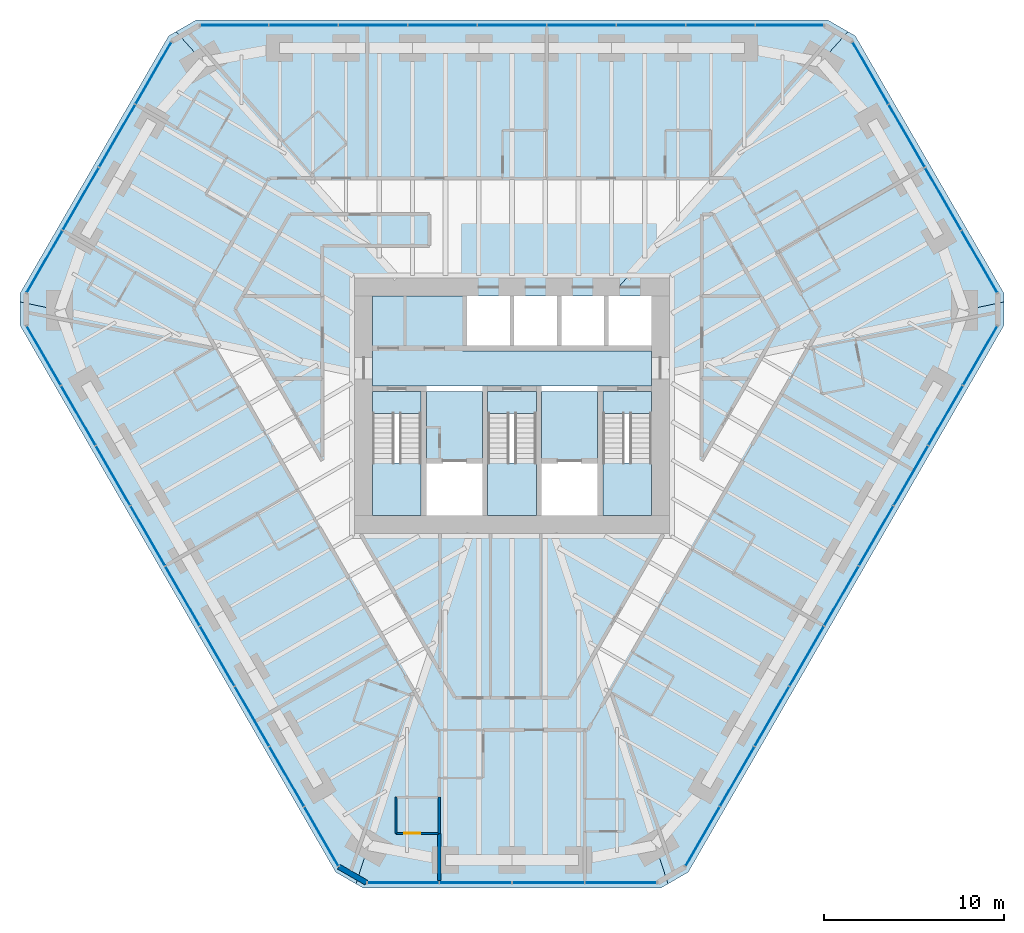
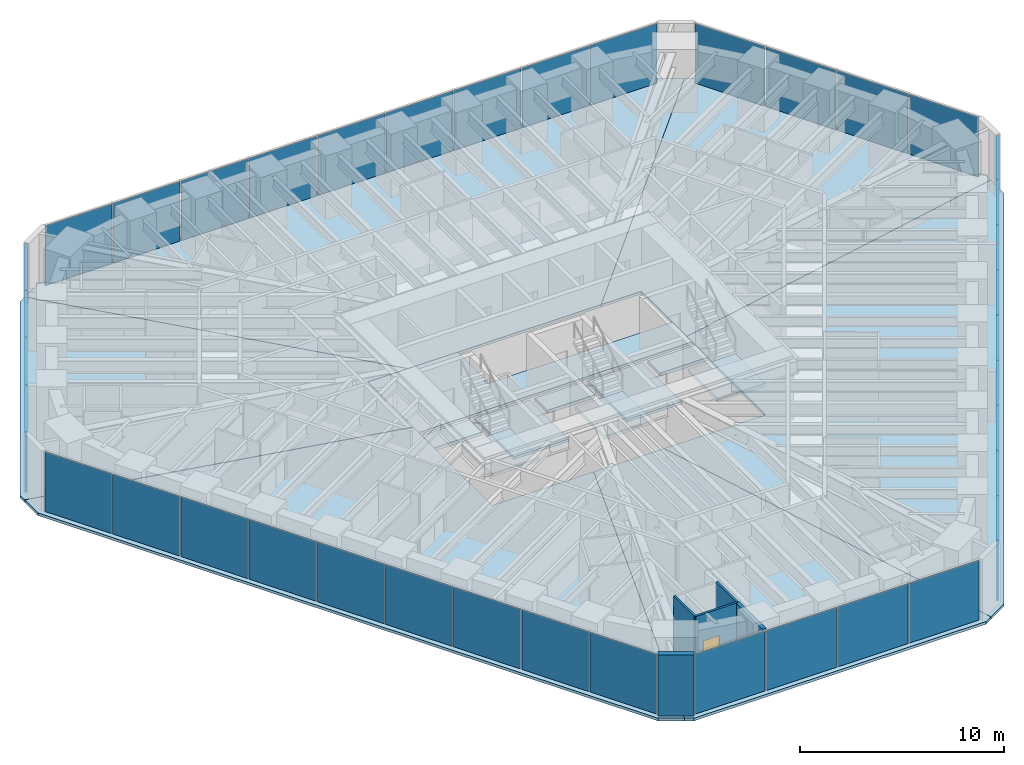
# One storey, part 10 of 16: 39 plates, 15 slabs, 5 walls, 1 door, 1 opening, 9 elements without a shape of their own.
"""IFC4 building model written with IfcOpenShell, lengths in metres."""

from ifc_helpers import new_model, si_unit, direction, frame, frame_2d, origin, origin_2d, place, context, subcontext, project, spatial, polyline, rectangle, outline, extrude, material, layer, layer_set, type_object, element, fill, aggregate, save


model = new_model("IFC4")

# Units and contexts
model_context = context("Model", 3, precision=1e-05, world=origin(), true_north=direction((0.0, 1.0)))
body_context = subcontext(model_context, "Body", "Model", "MODEL_VIEW")
ifc_project = project(units=[si_unit("LENGTHUNIT", "METRE"), si_unit("AREAUNIT", "SQUARE_METRE"), si_unit("VOLUMEUNIT", "CUBIC_METRE"), si_unit("PLANEANGLEUNIT", "RADIAN"), si_unit("MASSUNIT", "GRAM", prefix="KILO")], contexts=[model_context])

# Site, building, storey
site_placement = place(None, origin())
site = spatial("IfcSite", under=ifc_project, at=site_placement, CompositionType="ELEMENT")
building_placement = place(site_placement, origin())
building = spatial("IfcBuilding", under=site, at=building_placement, Name="Sandreach Pilgrim Tower", CompositionType="ELEMENT")
storey_placement = place(building_placement, frame((0.0, 0.0, 202.199951171875)))
storey = spatial("IfcBuildingStorey", under=building, at=storey_placement, Name="L50", CompositionType="ELEMENT", Elevation=202.199951171875)

# Curtain wall, plates
ifc_material_1 = material(Name="Aluminium framed curtain wall", Category="aluminium")
curtain_wall_type = type_object("IfcCurtainWallType", Name="Upper hotel tower curtain wall", PredefinedType="NOTDEFINED", material=ifc_material_1)
curtain_wall_1_placement = place(storey_placement, origin())
curtain_wall_1 = element("IfcCurtainWall", 1, at=curtain_wall_1_placement, inside=storey, type_object=curtain_wall_type, Name="CW-3 L50 N", PredefinedType="NOTDEFINED")
ifc_material_2 = material(Name="Insulating glass unit 12.76 laminated + 20 argon + 12.76 laminated", Category="glass")
ifc_layer_1 = layer(ifc_material_2, 0.0458984375)
ifc_layer_set_1 = layer_set([ifc_layer_1], Name="CW-3 panel")
plate_type = type_object("IfcPlateType", Name="CW-3 panel", PredefinedType="CURTAIN_PANEL", material=ifc_layer_set_1)
plate_1_placement = place(storey_placement, frame((-15.44140625, 21.16015625, 0.0), z_axis=(0.0, 0.0, 1.0), x_axis=(1.0, 0.0, 0.0)))
plate_1 = element("IfcPlate", 2, at=plate_1_placement, type_object=plate_type, Name="CW-3 panel 1", PredefinedType="CURTAIN_PANEL", context=body_context, shape_type="SweptSolid", body=[
    extrude(rectangle(XDim=3.766845703125, YDim=0.0458984375, at=origin_2d()), origin(), (0.0, 0.0, 1.0), 3.570068359375),
])
plate_2_placement = place(storey_placement, frame((-11.59326171875, 21.16015625, 0.0), z_axis=(0.0, 0.0, 1.0), x_axis=(1.0, 0.0, 0.0)))
plate_2 = element("IfcPlate", 3, at=plate_2_placement, type_object=plate_type, Name="CW-3 panel 2", PredefinedType="CURTAIN_PANEL", context=body_context, shape_type="SweptSolid", body=[
    extrude(rectangle(XDim=3.79931640625, YDim=0.0458984375, at=origin_2d()), origin(), (0.0, 0.0, 1.0), 3.570068359375),
])
plate_3_placement = place(storey_placement, frame((-7.728759765625, 21.16015625, 0.0), z_axis=(0.0, 0.0, 1.0), x_axis=(1.0, 0.0, 0.0)))
plate_3 = element("IfcPlate", 4, at=plate_3_placement, type_object=plate_type, Name="CW-3 panel 3", PredefinedType="CURTAIN_PANEL", context=body_context, shape_type="SweptSolid", body=[
    extrude(rectangle(XDim=3.79931640625, YDim=0.0458984375, at=origin_2d()), origin(), (0.0, 0.0, 1.0), 3.570068359375),
])
plate_4_placement = place(storey_placement, frame((-3.864501953125, 21.16015625, 0.0), z_axis=(0.0, 0.0, 1.0), x_axis=(1.0, 0.0, 0.0)))
plate_4 = element("IfcPlate", 5, at=plate_4_placement, type_object=plate_type, Name="CW-3 panel 4", PredefinedType="CURTAIN_PANEL", context=body_context, shape_type="SweptSolid", body=[
    extrude(rectangle(XDim=3.79931640625, YDim=0.0458984375, at=origin_2d()), origin(), (0.0, 0.0, 1.0), 3.570068359375),
])
plate_5_placement = place(storey_placement, frame((0.0, 21.16015625, 0.0), z_axis=(0.0, 0.0, 1.0), x_axis=(1.0, 0.0, 0.0)))
plate_5 = element("IfcPlate", 6, at=plate_5_placement, type_object=plate_type, Name="CW-3 panel 5", PredefinedType="CURTAIN_PANEL", context=body_context, shape_type="SweptSolid", body=[
    extrude(rectangle(XDim=3.79931640625, YDim=0.0458984375, at=origin_2d()), origin(), (0.0, 0.0, 1.0), 3.570068359375),
])
plate_6_placement = place(storey_placement, frame((3.864501953125, 21.16015625, 0.0), z_axis=(0.0, 0.0, 1.0), x_axis=(1.0, 0.0, 0.0)))
plate_6 = element("IfcPlate", 7, at=plate_6_placement, type_object=plate_type, Name="CW-3 panel 6", PredefinedType="CURTAIN_PANEL", context=body_context, shape_type="SweptSolid", body=[
    extrude(rectangle(XDim=3.79931640625, YDim=0.0458984375, at=origin_2d()), origin(), (0.0, 0.0, 1.0), 3.570068359375),
])
plate_7_placement = place(storey_placement, frame((7.728759765625, 21.16015625, 0.0), z_axis=(0.0, 0.0, 1.0), x_axis=(1.0, 0.0, 0.0)))
plate_7 = element("IfcPlate", 8, at=plate_7_placement, type_object=plate_type, Name="CW-3 panel 7", PredefinedType="CURTAIN_PANEL", context=body_context, shape_type="SweptSolid", body=[
    extrude(rectangle(XDim=3.79931640625, YDim=0.0458984375, at=origin_2d()), origin(), (0.0, 0.0, 1.0), 3.570068359375),
])
plate_8_placement = place(storey_placement, frame((11.59326171875, 21.16015625, 0.0), z_axis=(0.0, 0.0, 1.0), x_axis=(1.0, 0.0, 0.0)))
plate_8 = element("IfcPlate", 9, at=plate_8_placement, type_object=plate_type, Name="CW-3 panel 8", PredefinedType="CURTAIN_PANEL", context=body_context, shape_type="SweptSolid", body=[
    extrude(rectangle(XDim=3.79931640625, YDim=0.0458984375, at=origin_2d()), origin(), (0.0, 0.0, 1.0), 3.570068359375),
])
plate_9_placement = place(storey_placement, frame((15.44140625, 21.16015625, 0.0), z_axis=(0.0, 0.0, 1.0), x_axis=(1.0, 0.0, 0.0)))
plate_9 = element("IfcPlate", 10, at=plate_9_placement, type_object=plate_type, Name="CW-3 panel 9", PredefinedType="CURTAIN_PANEL", context=body_context, shape_type="SweptSolid", body=[
    extrude(rectangle(XDim=3.766845703125, YDim=0.0458984375, at=origin_2d()), origin(), (0.0, 0.0, 1.0), 3.570068359375),
])
aggregate(curtain_wall_1, [plate_1, plate_2, plate_3, plate_4, plate_5, plate_6, plate_7, plate_8, plate_9])

curtain_wall_2_placement = place(storey_placement, origin())
curtain_wall_2 = element("IfcCurtainWall", 11, at=curtain_wall_2_placement, inside=storey, type_object=curtain_wall_type, Name="CW-3 L50 NE", PredefinedType="NOTDEFINED")
plate_10_placement = place(storey_placement, frame((19.943115234375, 18.5078125, 0.0), z_axis=(0.0, 0.0, 1.0), x_axis=(0.5, -0.866025403784, 0.0)))
plate_10 = element("IfcPlate", 12, at=plate_10_placement, type_object=plate_type, Name="CW-3 panel 1", PredefinedType="CURTAIN_PANEL", context=body_context, shape_type="SweptSolid", body=[
    extrude(rectangle(XDim=3.951171875, YDim=0.0458984375, at=origin_2d()), origin(), (0.0, 0.0, 1.0), 3.570068359375),
])
plate_11_placement = place(storey_placement, frame((21.959228515625, 15.015625, 0.0), z_axis=(0.0, 0.0, 1.0), x_axis=(0.5, -0.866025403784, 0.0)))
plate_11 = element("IfcPlate", 13, at=plate_11_placement, type_object=plate_type, Name="CW-3 panel 2", PredefinedType="CURTAIN_PANEL", context=body_context, shape_type="SweptSolid", body=[
    extrude(rectangle(XDim=3.983642578125, YDim=0.0458984375, at=origin_2d()), origin(), (0.0, 0.0, 1.0), 3.570068359375),
])
plate_12_placement = place(storey_placement, frame((23.983642578125, 11.509521484375, 0.0), z_axis=(0.0, 0.0, 1.0), x_axis=(0.5, -0.866025403784, 0.0)))
plate_12 = element("IfcPlate", 14, at=plate_12_placement, type_object=plate_type, Name="CW-3 panel 3", PredefinedType="CURTAIN_PANEL", context=body_context, shape_type="SweptSolid", body=[
    extrude(rectangle(XDim=3.983642578125, YDim=0.0458984375, at=origin_2d()), origin(), (0.0, 0.0, 1.0), 3.570068359375),
])
plate_13_placement = place(storey_placement, frame((25.999755859375, 8.017333984375, 0.0), z_axis=(0.0, 0.0, 1.0), x_axis=(0.5, -0.866025403784, 0.0)))
plate_13 = element("IfcPlate", 15, at=plate_13_placement, type_object=plate_type, Name="CW-3 panel 4", PredefinedType="CURTAIN_PANEL", context=body_context, shape_type="SweptSolid", body=[
    extrude(rectangle(XDim=3.951171875, YDim=0.0458984375, at=origin_2d()), origin(), (0.0, 0.0, 1.0), 3.570068359375),
])
aggregate(curtain_wall_2, [plate_10, plate_11, plate_12, plate_13])

curtain_wall_3_placement = place(storey_placement, origin())
curtain_wall_3 = element("IfcCurtainWall", 16, at=curtain_wall_3_placement, inside=storey, type_object=curtain_wall_type, Name="CW-3 L50 SE", PredefinedType="NOTDEFINED")
plate_14_placement = place(storey_placement, frame((26.0458984375, 2.792724609375, 0.0), z_axis=(0.0, 0.0, 1.0), x_axis=(-0.5, -0.866025403784, 0.0)))
plate_14 = element("IfcPlate", 17, at=plate_14_placement, type_object=plate_type, Name="CW-3 panel 1", PredefinedType="CURTAIN_PANEL", context=body_context, shape_type="SweptSolid", body=[
    extrude(rectangle(XDim=3.766845703125, YDim=0.0458984375, at=origin_2d()), origin(), (0.0, 0.0, 1.0), 3.570068359375),
])
plate_15_placement = place(storey_placement, frame((24.121826171875, -0.5400390625, 0.0), z_axis=(0.0, 0.0, 1.0), x_axis=(-0.5, -0.866025403784, 0.0)))
plate_15 = element("IfcPlate", 18, at=plate_15_placement, type_object=plate_type, Name="CW-3 panel 2", PredefinedType="CURTAIN_PANEL", context=body_context, shape_type="SweptSolid", body=[
    extrude(rectangle(XDim=3.79931640625, YDim=0.0458984375, at=origin_2d()), origin(), (0.0, 0.0, 1.0), 3.570068359375),
])
plate_16_placement = place(storey_placement, frame((22.189697265625, -3.88671875, 0.0), z_axis=(0.0, 0.0, 1.0), x_axis=(-0.5, -0.866025403784, 0.0)))
plate_16 = element("IfcPlate", 19, at=plate_16_placement, type_object=plate_type, Name="CW-3 panel 3", PredefinedType="CURTAIN_PANEL", context=body_context, shape_type="SweptSolid", body=[
    extrude(rectangle(XDim=3.79931640625, YDim=0.0458984375, at=origin_2d()), origin(), (0.0, 0.0, 1.0), 3.570068359375),
])
plate_17_placement = place(storey_placement, frame((20.25732421875, -7.2333984375, 0.0), z_axis=(0.0, 0.0, 1.0), x_axis=(-0.5, -0.866025403784, 0.0)))
plate_17 = element("IfcPlate", 20, at=plate_17_placement, type_object=plate_type, Name="CW-3 panel 4", PredefinedType="CURTAIN_PANEL", context=body_context, shape_type="SweptSolid", body=[
    extrude(rectangle(XDim=3.79931640625, YDim=0.0458984375, at=origin_2d()), origin(), (0.0, 0.0, 1.0), 3.570068359375),
])
plate_18_placement = place(storey_placement, frame((18.3251953125, -10.580078125, 0.0), z_axis=(0.0, 0.0, 1.0), x_axis=(-0.5, -0.866025403784, 0.0)))
plate_18 = element("IfcPlate", 21, at=plate_18_placement, type_object=plate_type, Name="CW-3 panel 5", PredefinedType="CURTAIN_PANEL", context=body_context, shape_type="SweptSolid", body=[
    extrude(rectangle(XDim=3.79931640625, YDim=0.0458984375, at=origin_2d()), origin(), (0.0, 0.0, 1.0), 3.570068359375),
])
plate_19_placement = place(storey_placement, frame((16.39306640625, -13.9267578125, 0.0), z_axis=(0.0, 0.0, 1.0), x_axis=(-0.5, -0.866025403784, 0.0)))
plate_19 = element("IfcPlate", 22, at=plate_19_placement, type_object=plate_type, Name="CW-3 panel 6", PredefinedType="CURTAIN_PANEL", context=body_context, shape_type="SweptSolid", body=[
    extrude(rectangle(XDim=3.79931640625, YDim=0.0458984375, at=origin_2d()), origin(), (0.0, 0.0, 1.0), 3.570068359375),
])
plate_20_placement = place(storey_placement, frame((14.460693359375, -17.2734375, 0.0), z_axis=(0.0, 0.0, 1.0), x_axis=(-0.5, -0.866025403784, 0.0)))
plate_20 = element("IfcPlate", 23, at=plate_20_placement, type_object=plate_type, Name="CW-3 panel 7", PredefinedType="CURTAIN_PANEL", context=body_context, shape_type="SweptSolid", body=[
    extrude(rectangle(XDim=3.79931640625, YDim=0.0458984375, at=origin_2d()), origin(), (0.0, 0.0, 1.0), 3.570068359375),
])
plate_21_placement = place(storey_placement, frame((12.528564453125, -20.6201171875, 0.0), z_axis=(0.0, 0.0, 1.0), x_axis=(-0.5, -0.866025403784, 0.0)))
plate_21 = element("IfcPlate", 24, at=plate_21_placement, type_object=plate_type, Name="CW-3 panel 8", PredefinedType="CURTAIN_PANEL", context=body_context, shape_type="SweptSolid", body=[
    extrude(rectangle(XDim=3.79931640625, YDim=0.0458984375, at=origin_2d()), origin(), (0.0, 0.0, 1.0), 3.570068359375),
])
plate_22_placement = place(storey_placement, frame((10.6044921875, -23.95263671875, 0.0), z_axis=(0.0, 0.0, 1.0), x_axis=(-0.5, -0.866025403784, 0.0)))
plate_22 = element("IfcPlate", 25, at=plate_22_placement, type_object=plate_type, Name="CW-3 panel 9", PredefinedType="CURTAIN_PANEL", context=body_context, shape_type="SweptSolid", body=[
    extrude(rectangle(XDim=3.766845703125, YDim=0.0458984375, at=origin_2d()), origin(), (0.0, 0.0, 1.0), 3.570068359375),
])
aggregate(curtain_wall_3, [plate_14, plate_15, plate_16, plate_17, plate_18, plate_19, plate_20, plate_21, plate_22])

curtain_wall_4_placement = place(storey_placement, origin())
curtain_wall_4 = element("IfcCurtainWall", 26, at=curtain_wall_4_placement, inside=storey, type_object=curtain_wall_type, Name="CW-3 L50 S", PredefinedType="NOTDEFINED")
plate_23_placement = place(storey_placement, frame((6.056884765625, -26.525146484375, 0.0), z_axis=(0.0, 0.0, 1.0), x_axis=(-1.0, 0.0, 0.0)))
plate_23 = element("IfcPlate", 27, at=plate_23_placement, type_object=plate_type, Name="CW-3 panel 1", PredefinedType="CURTAIN_PANEL", context=body_context, shape_type="SweptSolid", body=[
    extrude(rectangle(XDim=3.951171875, YDim=0.0458984375, at=origin_2d()), origin(), (0.0, 0.0, 1.0), 3.570068359375),
])
plate_24_placement = place(storey_placement, frame((2.0244140625, -26.525146484375, 0.0), z_axis=(0.0, 0.0, 1.0), x_axis=(-1.0, 0.0, 0.0)))
plate_24 = element("IfcPlate", 28, at=plate_24_placement, type_object=plate_type, Name="CW-3 panel 2", PredefinedType="CURTAIN_PANEL", context=body_context, shape_type="SweptSolid", body=[
    extrude(rectangle(XDim=3.983642578125, YDim=0.0458984375, at=origin_2d()), origin(), (0.0, 0.0, 1.0), 3.570068359375),
])
plate_25_placement = place(storey_placement, frame((-2.0244140625, -26.525146484375, 0.0), z_axis=(0.0, 0.0, 1.0), x_axis=(-1.0, 0.0, 0.0)))
plate_25 = element("IfcPlate", 29, at=plate_25_placement, type_object=plate_type, Name="CW-3 panel 3", PredefinedType="CURTAIN_PANEL", context=body_context, shape_type="SweptSolid", body=[
    extrude(rectangle(XDim=3.983642578125, YDim=0.0458984375, at=origin_2d()), origin(), (0.0, 0.0, 1.0), 3.570068359375),
])
plate_26_placement = place(storey_placement, frame((-6.056884765625, -26.525146484375, 0.0), z_axis=(0.0, 0.0, 1.0), x_axis=(-1.0, 0.0, 0.0)))
plate_26 = element("IfcPlate", 30, at=plate_26_placement, type_object=plate_type, Name="CW-3 panel 4", PredefinedType="CURTAIN_PANEL", context=body_context, shape_type="SweptSolid", body=[
    extrude(rectangle(XDim=3.951171875, YDim=0.0458984375, at=origin_2d()), origin(), (0.0, 0.0, 1.0), 3.570068359375),
])
aggregate(curtain_wall_4, [plate_23, plate_24, plate_25, plate_26])

curtain_wall_5_placement = place(storey_placement, origin())
curtain_wall_5 = element("IfcCurtainWall", 31, at=curtain_wall_5_placement, inside=storey, type_object=curtain_wall_type, Name="CW-3 L50 SW", PredefinedType="NOTDEFINED")
plate_27_placement = place(storey_placement, frame((-10.6044921875, -23.95263671875, 0.0), z_axis=(0.0, 0.0, 1.0), x_axis=(-0.5, 0.866025403784, 0.0)))
plate_27 = element("IfcPlate", 32, at=plate_27_placement, type_object=plate_type, Name="CW-3 panel 1", PredefinedType="CURTAIN_PANEL", context=body_context, shape_type="SweptSolid", body=[
    extrude(rectangle(XDim=3.766845703125, YDim=0.0458984375, at=origin_2d()), origin(), (0.0, 0.0, 1.0), 3.570068359375),
])
plate_28_placement = place(storey_placement, frame((-12.528564453125, -20.6201171875, 0.0), z_axis=(0.0, 0.0, 1.0), x_axis=(-0.5, 0.866025403784, 0.0)))
plate_28 = element("IfcPlate", 33, at=plate_28_placement, type_object=plate_type, Name="CW-3 panel 2", PredefinedType="CURTAIN_PANEL", context=body_context, shape_type="SweptSolid", body=[
    extrude(rectangle(XDim=3.79931640625, YDim=0.0458984375, at=origin_2d()), origin(), (0.0, 0.0, 1.0), 3.570068359375),
])
plate_29_placement = place(storey_placement, frame((-14.460693359375, -17.2734375, 0.0), z_axis=(0.0, 0.0, 1.0), x_axis=(-0.5, 0.866025403784, 0.0)))
plate_29 = element("IfcPlate", 34, at=plate_29_placement, type_object=plate_type, Name="CW-3 panel 3", PredefinedType="CURTAIN_PANEL", context=body_context, shape_type="SweptSolid", body=[
    extrude(rectangle(XDim=3.79931640625, YDim=0.0458984375, at=origin_2d()), origin(), (0.0, 0.0, 1.0), 3.570068359375),
])
plate_30_placement = place(storey_placement, frame((-16.39306640625, -13.9267578125, 0.0), z_axis=(0.0, 0.0, 1.0), x_axis=(-0.5, 0.866025403784, 0.0)))
plate_30 = element("IfcPlate", 35, at=plate_30_placement, type_object=plate_type, Name="CW-3 panel 4", PredefinedType="CURTAIN_PANEL", context=body_context, shape_type="SweptSolid", body=[
    extrude(rectangle(XDim=3.79931640625, YDim=0.0458984375, at=origin_2d()), origin(), (0.0, 0.0, 1.0), 3.570068359375),
])
plate_31_placement = place(storey_placement, frame((-18.3251953125, -10.580078125, 0.0), z_axis=(0.0, 0.0, 1.0), x_axis=(-0.5, 0.866025403784, 0.0)))
plate_31 = element("IfcPlate", 36, at=plate_31_placement, type_object=plate_type, Name="CW-3 panel 5", PredefinedType="CURTAIN_PANEL", context=body_context, shape_type="SweptSolid", body=[
    extrude(rectangle(XDim=3.79931640625, YDim=0.0458984375, at=origin_2d()), origin(), (0.0, 0.0, 1.0), 3.570068359375),
])
plate_32_placement = place(storey_placement, frame((-20.25732421875, -7.2333984375, 0.0), z_axis=(0.0, 0.0, 1.0), x_axis=(-0.5, 0.866025403784, 0.0)))
plate_32 = element("IfcPlate", 37, at=plate_32_placement, type_object=plate_type, Name="CW-3 panel 6", PredefinedType="CURTAIN_PANEL", context=body_context, shape_type="SweptSolid", body=[
    extrude(rectangle(XDim=3.79931640625, YDim=0.0458984375, at=origin_2d()), origin(), (0.0, 0.0, 1.0), 3.570068359375),
])
plate_33_placement = place(storey_placement, frame((-22.189697265625, -3.88671875, 0.0), z_axis=(0.0, 0.0, 1.0), x_axis=(-0.5, 0.866025403784, 0.0)))
plate_33 = element("IfcPlate", 38, at=plate_33_placement, type_object=plate_type, Name="CW-3 panel 7", PredefinedType="CURTAIN_PANEL", context=body_context, shape_type="SweptSolid", body=[
    extrude(rectangle(XDim=3.79931640625, YDim=0.0458984375, at=origin_2d()), origin(), (0.0, 0.0, 1.0), 3.570068359375),
])
plate_34_placement = place(storey_placement, frame((-24.121826171875, -0.5400390625, 0.0), z_axis=(0.0, 0.0, 1.0), x_axis=(-0.5, 0.866025403784, 0.0)))
plate_34 = element("IfcPlate", 39, at=plate_34_placement, type_object=plate_type, Name="CW-3 panel 8", PredefinedType="CURTAIN_PANEL", context=body_context, shape_type="SweptSolid", body=[
    extrude(rectangle(XDim=3.79931640625, YDim=0.0458984375, at=origin_2d()), origin(), (0.0, 0.0, 1.0), 3.570068359375),
])
plate_35_placement = place(storey_placement, frame((-26.0458984375, 2.792724609375, 0.0), z_axis=(0.0, 0.0, 1.0), x_axis=(-0.5, 0.866025403784, 0.0)))
plate_35 = element("IfcPlate", 40, at=plate_35_placement, type_object=plate_type, Name="CW-3 panel 9", PredefinedType="CURTAIN_PANEL", context=body_context, shape_type="SweptSolid", body=[
    extrude(rectangle(XDim=3.766845703125, YDim=0.0458984375, at=origin_2d()), origin(), (0.0, 0.0, 1.0), 3.570068359375),
])
aggregate(curtain_wall_5, [plate_27, plate_28, plate_29, plate_30, plate_31, plate_32, plate_33, plate_34, plate_35])

curtain_wall_6_placement = place(storey_placement, origin())
curtain_wall_6 = element("IfcCurtainWall", 41, at=curtain_wall_6_placement, inside=storey, type_object=curtain_wall_type, Name="CW-3 L50 NW", PredefinedType="NOTDEFINED")
plate_36_placement = place(storey_placement, frame((-25.999755859375, 8.017333984375, 0.0), z_axis=(0.0, 0.0, 1.0), x_axis=(0.5, 0.866025403784, 0.0)))
plate_36 = element("IfcPlate", 42, at=plate_36_placement, type_object=plate_type, Name="CW-3 panel 1", PredefinedType="CURTAIN_PANEL", context=body_context, shape_type="SweptSolid", body=[
    extrude(rectangle(XDim=3.951171875, YDim=0.0458984375, at=origin_2d()), origin(), (0.0, 0.0, 1.0), 3.570068359375),
])
plate_37_placement = place(storey_placement, frame((-23.983642578125, 11.509521484375, 0.0), z_axis=(0.0, 0.0, 1.0), x_axis=(0.5, 0.866025403784, 0.0)))
plate_37 = element("IfcPlate", 43, at=plate_37_placement, type_object=plate_type, Name="CW-3 panel 2", PredefinedType="CURTAIN_PANEL", context=body_context, shape_type="SweptSolid", body=[
    extrude(rectangle(XDim=3.983642578125, YDim=0.0458984375, at=origin_2d()), origin(), (0.0, 0.0, 1.0), 3.570068359375),
])
plate_38_placement = place(storey_placement, frame((-21.959228515625, 15.015625, 0.0), z_axis=(0.0, 0.0, 1.0), x_axis=(0.5, 0.866025403784, 0.0)))
plate_38 = element("IfcPlate", 44, at=plate_38_placement, type_object=plate_type, Name="CW-3 panel 3", PredefinedType="CURTAIN_PANEL", context=body_context, shape_type="SweptSolid", body=[
    extrude(rectangle(XDim=3.983642578125, YDim=0.0458984375, at=origin_2d()), origin(), (0.0, 0.0, 1.0), 3.570068359375),
])
plate_39_placement = place(storey_placement, frame((-19.943115234375, 18.5078125, 0.0), z_axis=(0.0, 0.0, 1.0), x_axis=(0.5, 0.866025403784, 0.0)))
plate_39 = element("IfcPlate", 45, at=plate_39_placement, type_object=plate_type, Name="CW-3 panel 4", PredefinedType="CURTAIN_PANEL", context=body_context, shape_type="SweptSolid", body=[
    extrude(rectangle(XDim=3.951171875, YDim=0.0458984375, at=origin_2d()), origin(), (0.0, 0.0, 1.0), 3.570068359375),
])
aggregate(curtain_wall_6, [plate_36, plate_37, plate_38, plate_39])

# Slabs
ifc_material_3 = material(Name="Concrete 8000 psi", Category="concrete")
ifc_layer_2 = layer(ifc_material_3, 0.159912109375)
ifc_layer_set_2 = layer_set([ifc_layer_2], Name="Composite floor slab 160")
slab_type_1 = type_object("IfcSlabType", Name="Composite floor slab 160", PredefinedType="FLOOR", material=ifc_layer_set_2)
slab_1_placement = place(storey_placement, frame((0.0, 0.0, -0.159912109375)))
element("IfcSlab", 46, at=slab_1_placement, inside=storey, type_object=slab_type_1, Name="Floor slab L50 N sector", PredefinedType="FLOOR", context=body_context, shape_type="SweptSolid", body=[
    extrude(outline(polyline([(-17.56298828125, 21.460205078125), (17.56298828125, 21.460205078125), (18.68701171875, 20.81103515625), (5.477294921875, 6.10009765625), (-5.477294921875, 6.10009765625), (-18.68701171875, 20.81103515625), (-17.56298828125, 21.460205078125)])), origin(), (0.0, 0.0, 1.0), 0.159912109375),
])
slab_2_placement = place(storey_placement, frame((0.0, 0.0, -0.159912109375)))
element("IfcSlab", 47, at=slab_2_placement, inside=storey, type_object=slab_type_1, Name="Floor slab L50 NE sector", PredefinedType="FLOOR", context=body_context, shape_type="SweptSolid", body=[
    extrude(outline(polyline([(19.095947265625, 20.5751953125), (27.366455078125, 6.25), (27.366455078125, 5.778076171875), (7.75, 1.63623046875), (7.75, 6.10009765625), (5.477294921875, 6.10009765625), (18.68701171875, 20.81103515625), (19.095947265625, 20.5751953125)])), origin(), (0.0, 0.0, 1.0), 0.159912109375),
])
slab_3_placement = place(storey_placement, frame((0.0, 0.0, -0.159912109375)))
element("IfcSlab", 48, at=slab_3_placement, inside=storey, type_object=slab_type_1, Name="Floor slab L50 SE sector", PredefinedType="FLOOR", context=body_context, shape_type="SweptSolid", body=[
    extrude(outline(polyline([(27.366455078125, 4.47998046875), (9.803466796875, -25.940185546875), (8.679443359375, -26.589111328125), (1.9912109375, -6.10009765625), (7.75, -6.10009765625), (7.75, 1.63623046875), (27.366455078125, 5.778076171875), (27.366455078125, 4.47998046875)])), origin(), (0.0, 0.0, 1.0), 0.159912109375),
])
slab_4_placement = place(storey_placement, frame((0.0, 0.0, -0.159912109375)))
element("IfcSlab", 49, at=slab_4_placement, inside=storey, type_object=slab_type_1, Name="Floor slab L50 S sector", PredefinedType="FLOOR", context=body_context, shape_type="SweptSolid", body=[
    extrude(outline(polyline([(8.2705078125, -26.8251953125), (-8.2705078125, -26.8251953125), (-8.679443359375, -26.589111328125), (-1.9912109375, -6.10009765625), (1.9912109375, -6.10009765625), (8.679443359375, -26.589111328125), (8.2705078125, -26.8251953125)])), origin(), (0.0, 0.0, 1.0), 0.159912109375),
])
slab_5_placement = place(storey_placement, frame((0.0, 0.0, -0.159912109375)))
element("IfcSlab", 50, at=slab_5_placement, inside=storey, type_object=slab_type_1, Name="Floor slab L50 SW sector", PredefinedType="FLOOR", context=body_context, shape_type="SweptSolid", body=[
    extrude(outline(polyline([(-9.803466796875, -25.940185546875), (-27.366455078125, 4.47998046875), (-27.366455078125, 5.778076171875), (-7.75, 1.63623046875), (-7.75, -6.10009765625), (-1.9912109375, -6.10009765625), (-8.679443359375, -26.589111328125), (-9.803466796875, -25.940185546875)])), origin(), (0.0, 0.0, 1.0), 0.159912109375),
])
slab_6_placement = place(storey_placement, frame((0.0, 0.0, -0.159912109375)))
element("IfcSlab", 51, at=slab_6_placement, inside=storey, type_object=slab_type_1, Name="Floor slab L50 NW sector", PredefinedType="FLOOR", context=body_context, shape_type="SweptSolid", body=[
    extrude(outline(polyline([(-27.366455078125, 6.25), (-19.095947265625, 20.5751953125), (-18.68701171875, 20.81103515625), (-5.477294921875, 6.10009765625), (-7.75, 6.10009765625), (-7.75, 1.63623046875), (-27.366455078125, 5.778076171875), (-27.366455078125, 6.25)])), origin(), (0.0, 0.0, 1.0), 0.159912109375),
])
slab_7_placement = place(storey_placement, frame((0.0, 0.0, -0.159912109375)))
element("IfcSlab", 52, at=slab_7_placement, inside=storey, type_object=slab_type_1, Name="Core floor slab and stores L50", PredefinedType="FLOOR", context=body_context, shape_type="SweptSolid", body=[
    extrude(outline(polyline([(-2.75, 3.35009765625), (-2.75, 3.050048828125), (-0.125, 3.050048828125), (0.125, 3.050048828125), (2.5, 3.050048828125), (2.75, 3.050048828125), (5.125, 3.050048828125), (5.375, 3.050048828125), (7.75, 3.050048828125), (7.75, 1.10009765625), (5.050048828125, 1.10009765625), (4.75, 1.10009765625), (1.64990234375, 1.10009765625), (1.35009765625, 1.10009765625), (-1.35009765625, 1.10009765625), (-1.64990234375, 1.10009765625), (-4.75, 1.10009765625), (-5.050048828125, 1.10009765625), (-7.75, 1.10009765625), (-7.75, 6.10009765625), (-2.64990234375, 6.10009765625), (-2.64990234375, 3.35009765625), (-2.75, 3.35009765625)])), origin(), (0.0, 0.0, 1.0), 0.159912109375),
])
slab_8_placement = place(storey_placement, frame((0.0, 0.0, -0.159912109375)))
element("IfcSlab", 53, at=slab_8_placement, inside=storey, type_object=slab_type_1, Name="Core floor slab and stores L50 2", PredefinedType="FLOOR", context=body_context, shape_type="SweptSolid", body=[
    extrude(outline(polyline([(-1.64990234375, -3.050048828125), (-4.75, -3.050048828125), (-4.75, 0.800048828125), (-1.64990234375, 0.800048828125), (-1.64990234375, -3.050048828125)])), origin(), (0.0, 0.0, 1.0), 0.159912109375),
])
slab_9_placement = place(storey_placement, frame((0.0, 0.0, -0.159912109375)))
element("IfcSlab", 54, at=slab_9_placement, inside=storey, type_object=slab_type_1, Name="Core floor slab and stores L50 3", PredefinedType="FLOOR", context=body_context, shape_type="SweptSolid", body=[
    extrude(outline(polyline([(4.75, -3.050048828125), (1.64990234375, -3.050048828125), (1.64990234375, 0.800048828125), (4.75, 0.800048828125), (4.75, -3.050048828125)])), origin(), (0.0, 0.0, 1.0), 0.159912109375),
])

# Stair, slabs
ifc_material_4 = material(Name="Concrete 8000 psi", Category="concrete")
stair_type = type_object("IfcStairType", Name="Core exit stair", PredefinedType="HALF_TURN_STAIR", material=ifc_material_4)
stair_1_placement = place(storey_placement, origin())
stair_1 = element("IfcStair", 55, at=stair_1_placement, inside=storey, type_object=stair_type, Name="Exit stair ST1 L50", PredefinedType="HALF_TURN_STAIR")
ifc_material_5 = material(Name="Concrete 8000 psi", Category="concrete")
ifc_layer_3 = layer(ifc_material_5, 0.199951171875)
ifc_layer_set_3 = layer_set([ifc_layer_3], Name="Core stair landing 200")
slab_type_2 = type_object("IfcSlabType", Name="Core stair landing 200", PredefinedType="LANDING", material=ifc_layer_set_3)
slab_10_placement = place(storey_placement, frame((0.0, 0.0, -0.199951171875)))
slab_10 = element("IfcSlab", 56, at=slab_10_placement, type_object=slab_type_2, Name="ST1 landing 1", PredefinedType="LANDING", context=body_context, shape_type="SweptSolid", body=[
    extrude(outline(polyline([(-7.75, -0.425048828125), (-5.050048828125, -0.425048828125), (-5.050048828125, 0.800048828125), (-7.75, 0.800048828125), (-7.75, -0.425048828125)])), origin(), (0.0, 0.0, 1.0), 0.199951171875),
])
slab_11_placement = place(storey_placement, frame((0.0, 0.0, 1.699951171875)))
slab_11 = element("IfcSlab", 57, at=slab_11_placement, type_object=slab_type_2, Name="ST1 landing 2", PredefinedType="LANDING", context=body_context, shape_type="SweptSolid", body=[
    extrude(outline(polyline([(-7.75, -6.10009765625), (-5.050048828125, -6.10009765625), (-5.050048828125, -3.175048828125), (-7.75, -3.175048828125), (-7.75, -6.10009765625)])), origin(), (0.0, 0.0, 1.0), 0.2001953125),
])
aggregate(stair_1, [slab_10, slab_11])

stair_2_placement = place(storey_placement, origin())
stair_2 = element("IfcStair", 58, at=stair_2_placement, inside=storey, type_object=stair_type, Name="Exit stair ST3 L50", PredefinedType="HALF_TURN_STAIR")
slab_12_placement = place(storey_placement, frame((0.0, 0.0, -0.199951171875)))
slab_12 = element("IfcSlab", 59, at=slab_12_placement, type_object=slab_type_2, Name="ST3 landing 1", PredefinedType="LANDING", context=body_context, shape_type="SweptSolid", body=[
    extrude(outline(polyline([(-1.35009765625, -0.425048828125), (1.35009765625, -0.425048828125), (1.35009765625, 0.800048828125), (-1.35009765625, 0.800048828125), (-1.35009765625, -0.425048828125)])), origin(), (0.0, 0.0, 1.0), 0.199951171875),
])
slab_13_placement = place(storey_placement, frame((0.0, 0.0, 1.699951171875)))
slab_13 = element("IfcSlab", 60, at=slab_13_placement, type_object=slab_type_2, Name="ST3 landing 2", PredefinedType="LANDING", context=body_context, shape_type="SweptSolid", body=[
    extrude(outline(polyline([(-1.35009765625, -6.10009765625), (1.35009765625, -6.10009765625), (1.35009765625, -3.175048828125), (-1.35009765625, -3.175048828125), (-1.35009765625, -6.10009765625)])), origin(), (0.0, 0.0, 1.0), 0.2001953125),
])
aggregate(stair_2, [slab_12, slab_13])

stair_3_placement = place(storey_placement, origin())
stair_3 = element("IfcStair", 61, at=stair_3_placement, inside=storey, type_object=stair_type, Name="Exit stair ST2 L50", PredefinedType="HALF_TURN_STAIR")
slab_14_placement = place(storey_placement, frame((0.0, 0.0, -0.199951171875)))
slab_14 = element("IfcSlab", 62, at=slab_14_placement, type_object=slab_type_2, Name="ST2 landing 1", PredefinedType="LANDING", context=body_context, shape_type="SweptSolid", body=[
    extrude(outline(polyline([(5.050048828125, -0.425048828125), (7.75, -0.425048828125), (7.75, 0.800048828125), (5.050048828125, 0.800048828125), (5.050048828125, -0.425048828125)])), origin(), (0.0, 0.0, 1.0), 0.199951171875),
])
slab_15_placement = place(storey_placement, frame((0.0, 0.0, 1.699951171875)))
slab_15 = element("IfcSlab", 63, at=slab_15_placement, type_object=slab_type_2, Name="ST2 landing 2", PredefinedType="LANDING", context=body_context, shape_type="SweptSolid", body=[
    extrude(outline(polyline([(5.050048828125, -6.10009765625), (7.75, -6.10009765625), (7.75, -3.175048828125), (5.050048828125, -3.175048828125), (5.050048828125, -6.10009765625)])), origin(), (0.0, 0.0, 1.0), 0.2001953125),
])
aggregate(stair_3, [slab_14, slab_15])

# Wall, opening, door
ifc_material_6 = material(Name="Moisture-resistant gypsum board on steel studs", Category="steel")
ifc_layer_4 = layer(ifc_material_6, 0.1201171875)
ifc_layer_set_4 = layer_set([ifc_layer_4], Name="Bathroom partition 120")
wall_type_1 = type_object("IfcWallType", Name="Bathroom partition 120", PredefinedType="PARTITIONING", material=ifc_layer_set_4)
wall_1_placement = place(storey_placement, frame((-6.449951171875, -23.780029296875, 0.0), z_axis=(0.0, 0.0, 1.0), x_axis=(1.0, 0.0, 0.0)))
wall_1 = element("IfcWall", 64, at=wall_1_placement, inside=storey, type_object=wall_type_1, Name="Bathroom partition L50-057", PredefinedType="PARTITIONING", context=body_context, shape_type="SweptSolid", body=[
    extrude(rectangle(XDim=2.39990234375, YDim=0.1201171875, at=frame_2d((1.199951171875, 0.0))), origin(), (0.0, 0.0, 1.0), 3.64013671875),
])
opening_placement = place(wall_1_placement, frame((0.449951171875, 0.0, 0.0)))
opening = element("IfcOpeningElement", 65, at=opening_placement, cuts=wall_1, Name="Opening D09-11B", PredefinedType="OPENING", context=body_context, shape_type="SweptSolid", body=[
    extrude(rectangle(XDim=0.89990234375, YDim=2.030029296875, at=frame_2d((0.449951171875, 1.01513671875))), frame((0.0, 0.06005859375, 0.0), z_axis=(0.0, -1.0, 0.0), x_axis=(1.0, 0.0, 0.0)), (0.0, 0.0, 1.0), 0.1201171875),
])
ifc_material_7 = material(Name="Timber door, steel frame", Category="steel")
door_type = type_object("IfcDoorType", Name="Bathroom door", OperationType="SINGLE_SWING_LEFT", PredefinedType="DOOR", material=ifc_material_7)
door_placement = place(opening_placement, origin())
door = element("IfcDoor", 66, at=door_placement, inside=storey, type_object=door_type, Name="Door 5011B", OperationType="SINGLE_SWING_LEFT", OverallHeight=2.030029296875, OverallWidth=0.89990234375, PredefinedType="DOOR", context=body_context, shape_type="SweptSolid", body=[
    extrude(rectangle(XDim=0.89990234375, YDim=2.030029296875, at=frame_2d((0.449951171875, 1.01513671875))), frame((0.0, 0.02490234375, 0.0), z_axis=(0.0, -1.0, 0.0), x_axis=(1.0, 0.0, 0.0)), (0.0, 0.0, 1.0), 0.050048828125),
])
fill(opening, door)

# Walls
for number, where, z_axis, x_axis, name in (
    (67, (-6.449951171875, -21.77001953125, 0.0), (0.0, 0.0, 1.0), (0.0, -1.0, 0.0), "Bathroom partition L50-058"),
    (68, (-4.050048828125, -23.780029296875, 0.0), (0.0, 0.0, 1.0), (0.0, 1.0, 0.0), "Bathroom partition L50-067"),
):
    element("IfcWall", number, at=place(storey_placement, frame(where, z_axis=z_axis, x_axis=x_axis)), inside=storey, type_object=wall_type_1, Name=name, PredefinedType="PARTITIONING", context=body_context, shape_type="SweptSolid", body=[
        extrude(rectangle(XDim=2.010009765625, YDim=0.1201171875, at=frame_2d((1.0048828125, 0.0))), origin(), (0.0, 0.0, 1.0), 3.64013671875),
    ])
ifc_material_8 = material(Name="Double steel stud acoustic wall, gypsum board", Category="steel")
ifc_layer_5 = layer(ifc_material_8, 0.199951171875)
ifc_layer_set_5 = layer_set([ifc_layer_5], Name="Party wall 200")
wall_type_2 = type_object("IfcWallType", Name="Party wall 200", PredefinedType="PARTITIONING", material=ifc_layer_set_5)
wall_2_placement = place(storey_placement, frame((-4.050048828125, -26.409912109375, 0.0), z_axis=(0.0, 0.0, 1.0), x_axis=(0.0, 1.0, 0.0)))
element("IfcWall", 69, at=wall_2_placement, inside=storey, type_object=wall_type_2, Name="Party wall L50-066", PredefinedType="PARTITIONING", context=body_context, shape_type="SweptSolid", body=[
    extrude(rectangle(XDim=2.6298828125, YDim=0.199951171875, at=frame_2d((1.31494140625, 0.0))), origin(), (0.0, 0.0, 1.0), 3.64013671875),
])
ifc_material_9 = material(Name="Terracotta rainscreen on concrete", Category="masonry")
ifc_layer_6 = layer(ifc_material_9, 0.300048828125)
ifc_layer_set_6 = layer_set([ifc_layer_6], Name="Terracotta chamfer pier")
wall_type_3 = type_object("IfcWallType", Name="Terracotta chamfer pier", PredefinedType="SOLIDWALL", material=ifc_layer_set_6)
wall_3_placement = place(storey_placement, frame((-8.097412109375, -26.525146484375, 0.0), z_axis=(0.0, 0.0, 1.0), x_axis=(-0.866036293601, 0.499981137809, 0.0)))
element("IfcWall", 70, at=wall_3_placement, inside=storey, type_object=wall_type_3, Name="Chamfer pier L50 S", PredefinedType="SOLIDWALL", context=body_context, shape_type="SweptSolid", body=[
    extrude(rectangle(XDim=1.77001953125, YDim=0.300048828125, at=frame_2d((0.885009765625, 0.0))), origin(), (0.0, 0.0, 1.0), 3.64013671875),
])

save(model, "model.ifc")
